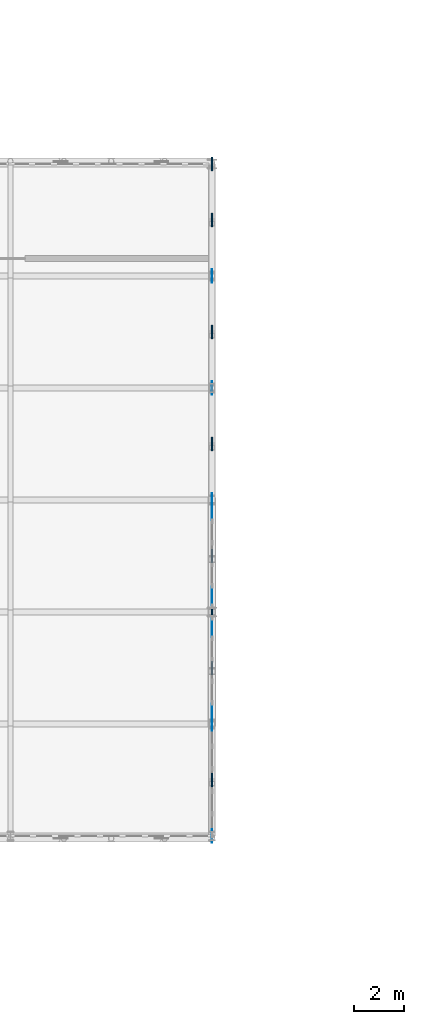
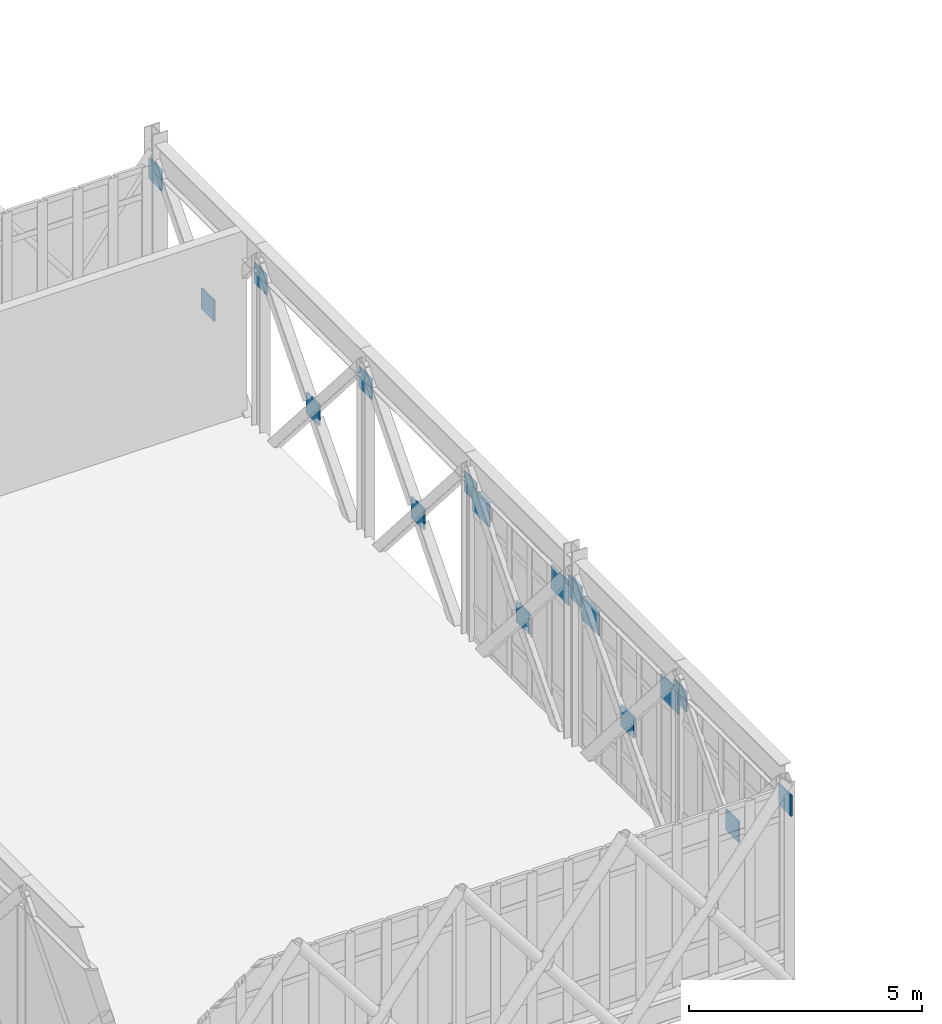
# One storey, part 89 of 107: 17 plates, 2 elements without a shape of their own.
"""IFC4 building model written with IfcOpenShell, lengths in metres."""

from ifc_helpers import new_model, si_unit, direction, frame, origin, origin_2d, place, context, subcontext, project, spatial, rectangle, extrude, material, layer, layer_set, type_object, element, aggregate, save


model = new_model("IFC4")

# Units and contexts
model_context = context("Model", 3, precision=1e-05, world=origin(), true_north=direction((0.0, 1.0)))
body_context = subcontext(model_context, "Body", "Model", "MODEL_VIEW")
ifc_project = project(units=[si_unit("LENGTHUNIT", "METRE"), si_unit("AREAUNIT", "SQUARE_METRE"), si_unit("VOLUMEUNIT", "CUBIC_METRE"), si_unit("PLANEANGLEUNIT", "RADIAN"), si_unit("MASSUNIT", "GRAM", prefix="KILO")], contexts=[model_context])

# Site, building, storey
site_placement = place(None, origin())
site = spatial("IfcSite", under=ifc_project, at=site_placement, CompositionType="ELEMENT")
building_placement = place(site_placement, origin())
building = spatial("IfcBuilding", under=site, at=building_placement, Name="Tarnveldt Square Police Headquarters", CompositionType="ELEMENT")
storey_placement = place(building_placement, frame((0.0, 0.0, 14.699951171875)))
storey = spatial("IfcBuildingStorey", under=building, at=storey_placement, Name="L03", CompositionType="ELEMENT", Elevation=14.699951171875)

# Curtain wall, plates
ifc_material_1 = material(Name="Triple-glazed low-e laminated vision glass", Category="glass")
curtain_wall_type = type_object("IfcCurtainWallType", Name="CW-LT-430x407", PredefinedType="USERDEFINED", material=ifc_material_1)
curtain_wall_1_placement = place(storey_placement, origin())
curtain_wall_1 = element("IfcCurtainWall", 1, at=curtain_wall_1_placement, inside=storey, type_object=curtain_wall_type, Name="L03 Curtain Wall CW-L03-038", ObjectType="GLAZED CURTAIN WALL", PredefinedType="USERDEFINED")
ifc_layer_1 = layer(ifc_material_1, 0.028076171875)
ifc_layer_set_1 = layer_set([ifc_layer_1], Name="Triple-glazed low-e laminated vision glass")
plate_type_1 = type_object("IfcPlateType", Name="CWP-VIS-28", PredefinedType="CURTAIN_PANEL", material=ifc_layer_set_1)
plate_1_placement = place(storey_placement, frame((64.800048828125, 11.948486328125, 3.353515625), z_axis=(0.0, 0.0, 1.0), x_axis=(0.0, 1.0, 0.0)))
plate_1 = element("IfcPlate", 2, at=plate_1_placement, type_object=plate_type_1, Name="CW-LT15 panel 1.3", PredefinedType="CURTAIN_PANEL", context=body_context, shape_type="SweptSolid", body=[
    extrude(rectangle(XDim=0.7470703125, YDim=0.028076171875, at=origin_2d()), origin(), (0.0, 0.0, 1.0), 0.637451171875),
])
plate_2_placement = place(storey_placement, frame((64.800048828125, 15.349365234375, 3.353515625), z_axis=(0.0, 0.0, 1.0), x_axis=(0.0, 1.0, 0.0)))
plate_2 = element("IfcPlate", 3, at=plate_2_placement, type_object=plate_type_1, Name="CW-LT15 panel 5.3", PredefinedType="CURTAIN_PANEL", context=body_context, shape_type="SweptSolid", body=[
    extrude(rectangle(XDim=0.7470703125, YDim=0.028076171875, at=origin_2d()), origin(), (0.0, 0.0, 1.0), 0.637451171875),
])
aggregate(curtain_wall_1, [plate_1, plate_2])

curtain_wall_2_placement = place(storey_placement, origin())
curtain_wall_2 = element("IfcCurtainWall", 4, at=curtain_wall_2_placement, inside=storey, type_object=curtain_wall_type, Name="L03 Curtain Wall CW-L03-039", ObjectType="GLAZED CURTAIN WALL", PredefinedType="USERDEFINED")
plate_3_placement = place(storey_placement, frame((64.800048828125, 16.650634765625, 3.353515625), z_axis=(0.0, 0.0, 1.0), x_axis=(0.0, 1.0, 0.0)))
plate_3 = element("IfcPlate", 5, at=plate_3_placement, type_object=plate_type_1, Name="CW-LT15 panel 1.3", PredefinedType="CURTAIN_PANEL", context=body_context, shape_type="SweptSolid", body=[
    extrude(rectangle(XDim=0.7470703125, YDim=0.028076171875, at=origin_2d()), origin(), (0.0, 0.0, 1.0), 0.637451171875),
])
plate_4_placement = place(storey_placement, frame((64.800048828125, 20.051513671875, 3.353515625), z_axis=(0.0, 0.0, 1.0), x_axis=(0.0, 1.0, 0.0)))
plate_4 = element("IfcPlate", 6, at=plate_4_placement, type_object=plate_type_1, Name="CW-LT15 panel 5.3", PredefinedType="CURTAIN_PANEL", context=body_context, shape_type="SweptSolid", body=[
    extrude(rectangle(XDim=0.7470703125, YDim=0.028076171875, at=origin_2d()), origin(), (0.0, 0.0, 1.0), 0.637451171875),
])
aggregate(curtain_wall_2, [plate_3, plate_4])

# Plates
ifc_material_2 = material(Name="Steel 350W", Category="steel")
ifc_layer_2 = layer(ifc_material_2, 0.02001953125)
ifc_layer_set_2 = layer_set([ifc_layer_2], Name="Steel 350W")
plate_type_2 = type_object("IfcPlateType", Name="PLT-GUS-20", PredefinedType="SHEET", material=ifc_layer_set_2)
for number, where, z_axis, x_axis, name in (
    (7, (64.800048828125, 29.5, 3.6318359375), (0.0, 0.0, 1.0), (1.0, 0.0, 0.0), "Node KN-CT4.2 Gusset Plate"),
    (8, (64.800048828125, 20.5, 3.6318359375), (0.0, 0.0, 1.0), (1.0, 0.0, 0.0), "Node KN-CT4.4 Gusset Plate"),
    (9, (64.800048828125, 11.5, 3.6318359375), (0.0, 0.0, 1.0), (1.0, 0.0, 0.0), "Node KN-CT4.6 Gusset Plate"),
):
    element("IfcPlate", number, at=place(storey_placement, frame(where, z_axis=z_axis, x_axis=x_axis)), inside=storey, type_object=plate_type_2, Name=name, PredefinedType="SHEET", context=body_context, shape_type="SweptSolid", body=[
        extrude(rectangle(XDim=0.02001953125, YDim=0.550048828125, at=origin_2d()), origin(), (0.0, 0.0, 1.0), 0.550048828125),
    ])
ifc_layer_3 = layer(ifc_material_2, 0.031982421875)
ifc_layer_set_3 = layer_set([ifc_layer_3], Name="Steel 350W")
plate_type_3 = type_object("IfcPlateType", Name="PLT-GUS-32", PredefinedType="SHEET", material=ifc_layer_set_3)
for number, where, z_axis, x_axis, name in (
    (10, (64.800048828125, 25.0, 3.6318359375), (0.0, 0.0, 1.0), (1.0, 0.0, 0.0), "Node KN-CT4.3 Gusset Plate"),
    (11, (64.800048828125, 7.0, 3.6318359375), (0.0, 0.0, 1.0), (1.0, 0.0, 0.0), "Node KN-CT4.7 Gusset Plate"),
):
    element("IfcPlate", number, at=place(storey_placement, frame(where, z_axis=z_axis, x_axis=x_axis)), inside=storey, type_object=plate_type_3, Name=name, PredefinedType="SHEET", context=body_context, shape_type="SweptSolid", body=[
        extrude(rectangle(XDim=0.031982421875, YDim=0.550048828125, at=origin_2d()), origin(), (0.0, 0.0, 1.0), 0.550048828125),
    ])
ifc_layer_4 = layer(ifc_material_2, 0.0419921875)
ifc_layer_set_4 = layer_set([ifc_layer_4], Name="Steel 350W")
plate_type_4 = type_object("IfcPlateType", Name="PLT-GUS-42", PredefinedType="SHEET", material=ifc_layer_set_4)
for number, where, z_axis, x_axis, name in (
    (12, (64.800048828125, 31.75, 1.58203125), (0.0, 0.0, 1.0), (1.0, 0.0, 0.0), "Cantilever Truss CT-4 L03 Centre Gusset Plate 1"),
    (13, (64.800048828125, 27.25, 1.58203125), (0.0, 0.0, 1.0), (1.0, 0.0, 0.0), "Cantilever Truss CT-4 L03 Centre Gusset Plate 2"),
    (14, (64.800048828125, 22.75, 1.58203125), (0.0, 0.0, 1.0), (1.0, 0.0, 0.0), "Cantilever Truss CT-4 L03 Centre Gusset Plate 3"),
    (15, (64.800048828125, 18.25, 1.58203125), (0.0, 0.0, 1.0), (1.0, 0.0, 0.0), "Cantilever Truss CT-4 L03 Centre Gusset Plate 4"),
    (16, (64.800048828125, 13.75, 1.58203125), (0.0, 0.0, 1.0), (1.0, 0.0, 0.0), "Cantilever Truss CT-4 L03 Centre Gusset Plate 5"),
    (17, (64.800048828125, 9.25, 1.58203125), (0.0, 0.0, 1.0), (1.0, 0.0, 0.0), "Cantilever Truss CT-4 L03 Centre Gusset Plate 6"),
    (18, (64.800048828125, 34.0, 3.6318359375), (0.0, 0.0, 1.0), (1.0, 0.0, 0.0), "Node KN-CT4.1 Gusset Plate"),
    (19, (64.800048828125, 16.0, 3.6318359375), (0.0, 0.0, 1.0), (1.0, 0.0, 0.0), "Node KN-CT4.5 Gusset Plate"),
):
    element("IfcPlate", number, at=place(storey_placement, frame(where, z_axis=z_axis, x_axis=x_axis)), inside=storey, type_object=plate_type_4, Name=name, PredefinedType="SHEET", context=body_context, shape_type="SweptSolid", body=[
        extrude(rectangle(XDim=0.0419921875, YDim=0.550048828125, at=origin_2d()), origin(), (0.0, 0.0, 1.0), 0.550048828125),
    ])

save(model, "model.ifc")
